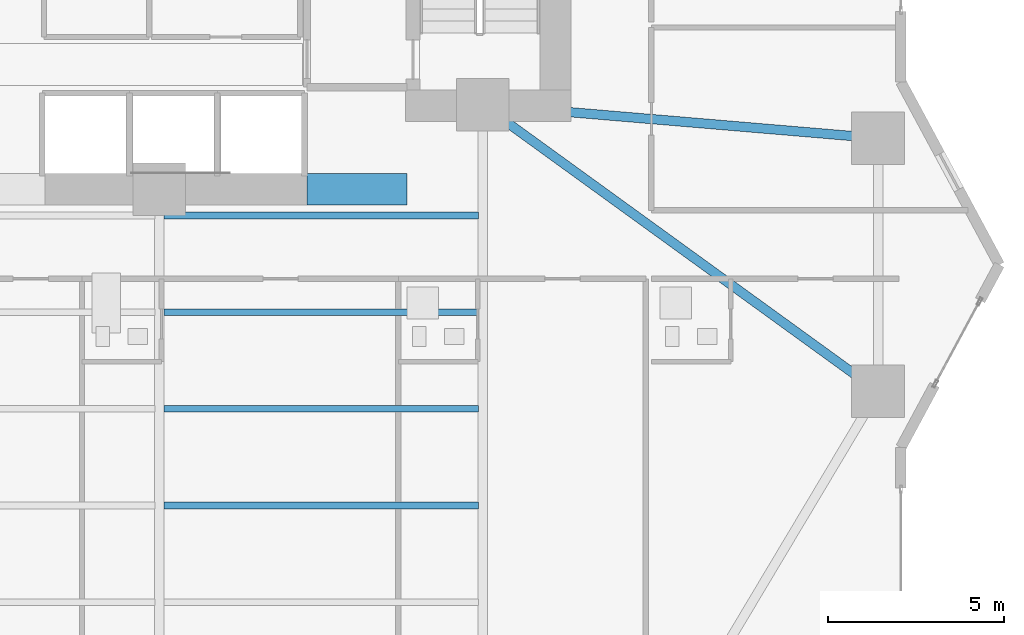
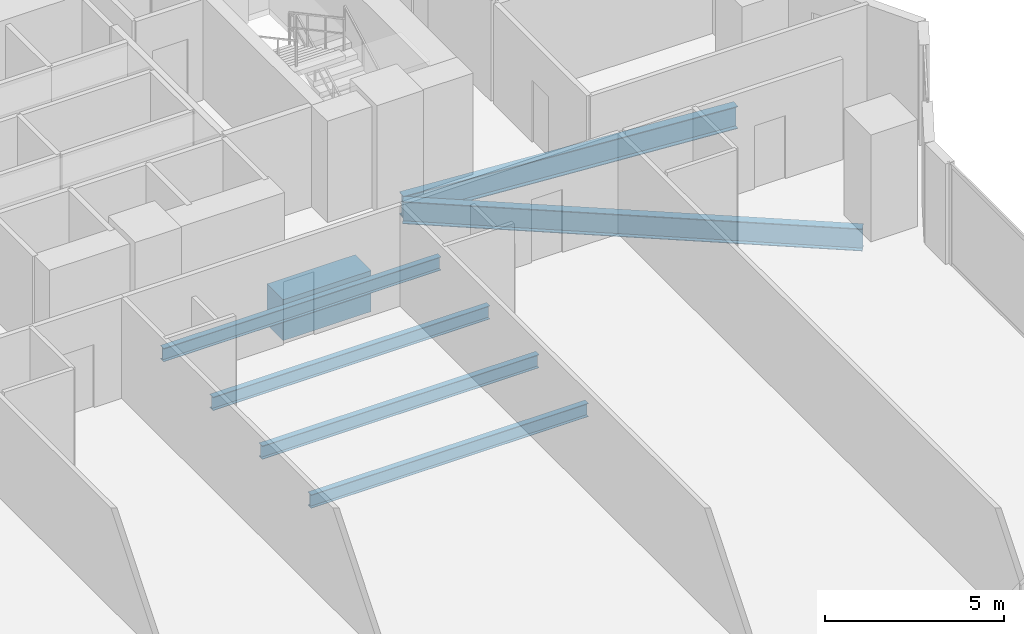
# One storey, part 11 of 29: 7 beams.
"""IFC4 building model written with IfcOpenShell, lengths in metres."""

from ifc_helpers import new_model, si_unit, direction, frame, origin, origin_2d, place, context, subcontext, project, spatial, rectangle, i_section, extrude, material, material_profile, profile_set, type_object, element, save


model = new_model("IFC4")

# Units and contexts
model_context = context("Model", 3, precision=1e-05, world=origin(), true_north=direction((0.0, 1.0)))
body_context = subcontext(model_context, "Body", "Model", "MODEL_VIEW")
ifc_project = project(units=[si_unit("LENGTHUNIT", "METRE"), si_unit("AREAUNIT", "SQUARE_METRE"), si_unit("VOLUMEUNIT", "CUBIC_METRE"), si_unit("PLANEANGLEUNIT", "RADIAN"), si_unit("MASSUNIT", "GRAM", prefix="KILO")], contexts=[model_context])

# Site, building, storey
site_placement = place(None, origin())
site = spatial("IfcSite", under=ifc_project, at=site_placement, CompositionType="ELEMENT")
building_placement = place(site_placement, origin())
building = spatial("IfcBuilding", under=site, at=building_placement, Name="Zuhayl Quay Hotel", CompositionType="ELEMENT")
storey_placement = place(building_placement, frame((0.0, 0.0, 45.85009765625)))
storey = spatial("IfcBuildingStorey", under=building, at=storey_placement, Name="L10", CompositionType="ELEMENT", Elevation=45.85009765625)

# Beams
ifc_material_1 = material(Name="Steel ASTM A992 Grade 50", Category="steel")
ifc_material_profile_1 = material_profile(ifc_material_1, i_section(OverallWidth=0.26708984375, OverallDepth=0.761962890625, WebThickness=0.014404296875, FlangeThickness=0.021484375, at=origin_2d()), Name="W30X116")
ifc_profile_set_1 = profile_set([ifc_material_profile_1], Name="Steel ASTM A992 Grade 50")
beam_type_1 = type_object("IfcBeamType", Name="BM_B1_W30X116", PredefinedType="BEAM", material=ifc_profile_set_1)
beam_1_placement = place(storey_placement, frame((14.164306640625, 4.285888671875, -0.60107421875), z_axis=(0.809830244688, -0.586664277751, 0.0), x_axis=(0.586664277751, 0.809830244688, 0.0)))
element("IfcBeam", 1, at=beam_1_placement, inside=storey, type_object=beam_type_1, Name="L10 Floor Beam FG_E_L10_1", PredefinedType="BEAM", context=body_context, shape_type="SweptSolid", body=[
    extrude(i_section(OverallWidth=0.26708984375, OverallDepth=0.761962890625, WebThickness=0.014404296875, FlangeThickness=0.021484375, at=origin_2d()), origin(), (0.0, 0.0, 1.0), 12.94189453125),
])
beam_2_placement = place(storey_placement, frame((14.248291015625, 4.51220703125, -0.60107421875), z_axis=(0.996453145398, -0.084149444594, 0.0), x_axis=(0.084149444594, 0.996453145398, 0.0)))
element("IfcBeam", 2, at=beam_2_placement, inside=storey, type_object=beam_type_1, Name="L10 Floor Beam FG_E_L10_2", PredefinedType="BEAM", context=body_context, shape_type="SweptSolid", body=[
    extrude(i_section(OverallWidth=0.26708984375, OverallDepth=0.761962890625, WebThickness=0.014404296875, FlangeThickness=0.021484375, at=origin_2d()), origin(), (0.0, 0.0, 1.0), 10.340087890625),
])
ifc_material_2 = material(Name="Concrete C60/75", Category="concrete")
ifc_material_profile_2 = material_profile(ifc_material_2, rectangle(XDim=0.89990234375, YDim=1.39990234375, at=origin_2d()), Name="RC900X1400")
ifc_profile_set_2 = profile_set([ifc_material_profile_2], Name="Concrete C60/75")
beam_type_2 = type_object("IfcBeamType", Name="BM_CB1_RC900", PredefinedType="T_BEAM", material=ifc_profile_set_2)
beam_3_placement = place(storey_placement, frame((8.800048828125, 2.14990234375, -0.920166015625), z_axis=(1.0, 0.0, 0.0), x_axis=(0.0, 1.0, 0.0)))
element("IfcBeam", 3, at=beam_3_placement, inside=storey, type_object=beam_type_2, Name="L10 Core Coupling Beam SE", PredefinedType="T_BEAM", context=body_context, shape_type="SweptSolid", body=[
    extrude(rectangle(XDim=0.89990234375, YDim=1.39990234375, at=origin_2d()), origin(), (0.0, 0.0, 1.0), 2.849853515625),
])
ifc_material_profile_3 = material_profile(ifc_material_1, i_section(OverallWidth=0.18994140625, OverallDepth=0.45703125, WebThickness=0.009033203125, FlangeThickness=0.014404296875, at=origin_2d()), Name="W18X50")
ifc_profile_set_3 = profile_set([ifc_material_profile_3], Name="Steel ASTM A992 Grade 50")
beam_type_3 = type_object("IfcBeamType", Name="BM_J2_W18X50", PredefinedType="JOIST", material=ifc_profile_set_3)
for number, where, z_axis, x_axis, name in (
    (4, (4.7255859375, -6.85009765625, -0.448486328125), (1.0, 0.0, 0.0), (0.0, 1.0, 0.0), "L10 Floor Beam FJ_L10_7_3"),
    (5, (4.7255859375, -4.10009765625, -0.448486328125), (1.0, 0.0, 0.0), (0.0, 1.0, 0.0), "L10 Floor Beam FJ_L10_8_3"),
    (6, (4.7255859375, -1.35009765625, -0.448486328125), (1.0, 0.0, 0.0), (0.0, 1.0, 0.0), "L10 Floor Beam FJ_L10_9_3"),
    (7, (4.7255859375, 1.39990234375, -0.448486328125), (1.0, 0.0, 0.0), (0.0, 1.0, 0.0), "L10 Floor Beam FJ_L10_10_3"),
):
    element("IfcBeam", number, at=place(storey_placement, frame(where, z_axis=z_axis, x_axis=x_axis)), inside=storey, type_object=beam_type_3, Name=name, PredefinedType="JOIST", context=body_context, shape_type="SweptSolid", body=[
        extrude(i_section(OverallWidth=0.18994140625, OverallDepth=0.45703125, WebThickness=0.009033203125, FlangeThickness=0.014404296875, at=origin_2d()), origin(), (0.0, 0.0, 1.0), 8.948974609375),
    ])

save(model, "model.ifc")
